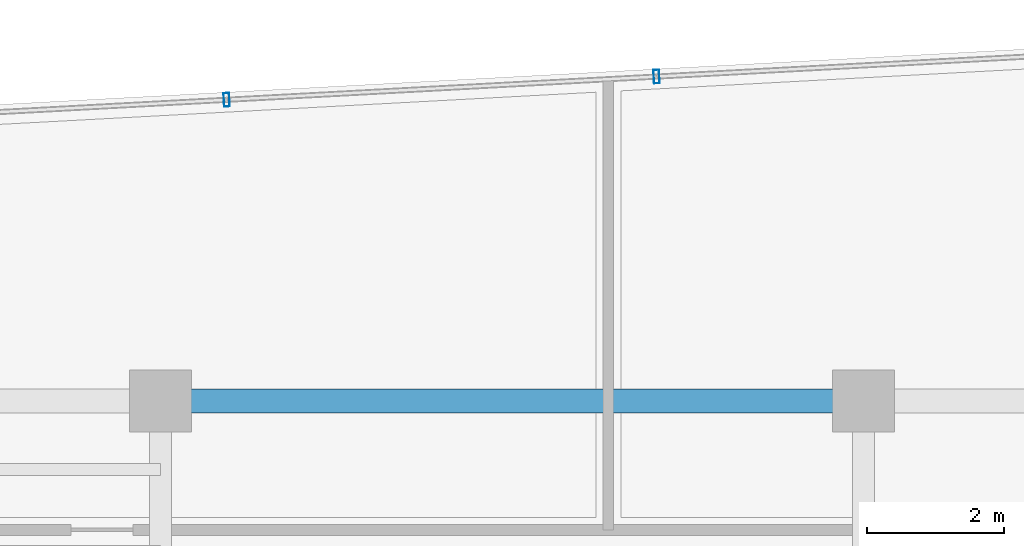
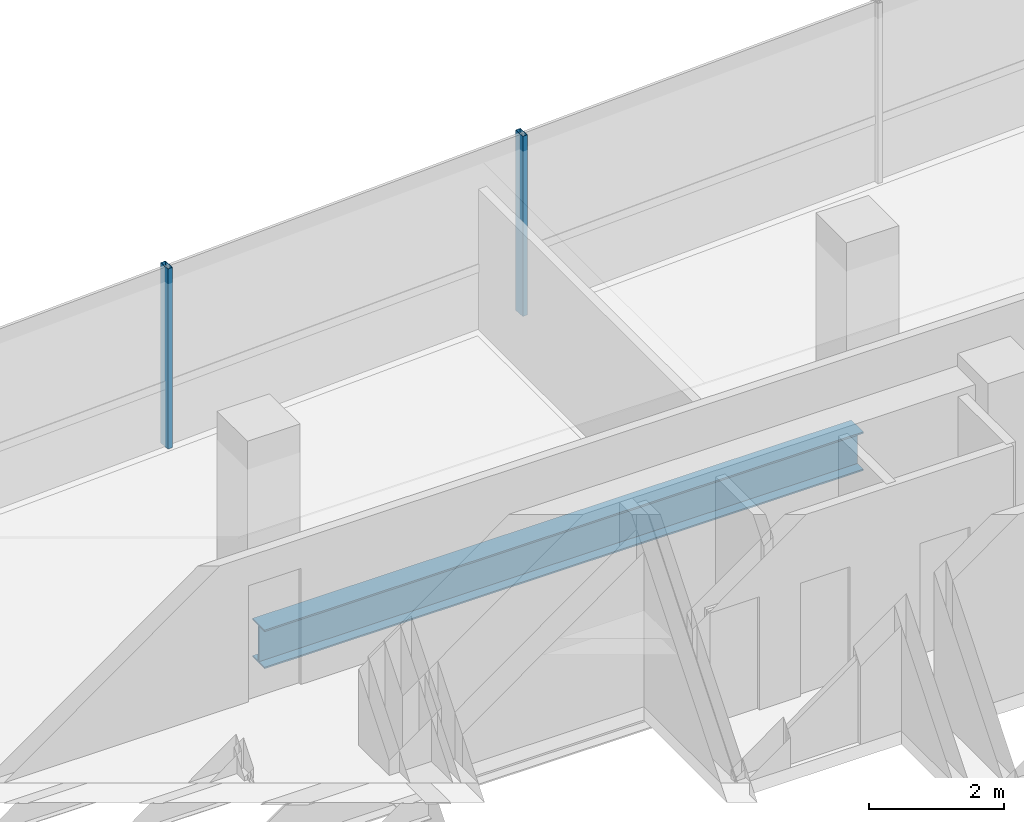
# One storey, part 14 of 22: 2 members, 1 beam, 1 element without a shape of its own.
"""IFC4 building model written with IfcOpenShell, lengths in metres."""

from ifc_helpers import new_model, si_unit, direction, frame, origin, origin_2d, place, context, subcontext, project, spatial, hollow_rectangle, i_section, extrude, source, transform, mapped, material, material_profile, profile_set, type_object, element, aggregate, save


model = new_model("IFC4")

# Units and contexts
model_context = context("Model", 3, precision=1e-05, world=origin(), true_north=direction((0.0, 1.0)))
body_context = subcontext(model_context, "Body", "Model", "MODEL_VIEW")
ifc_project = project(units=[si_unit("LENGTHUNIT", "METRE"), si_unit("AREAUNIT", "SQUARE_METRE"), si_unit("VOLUMEUNIT", "CUBIC_METRE"), si_unit("PLANEANGLEUNIT", "RADIAN"), si_unit("MASSUNIT", "GRAM", prefix="KILO")], contexts=[model_context])

# Site, building, storey
site_placement = place(None, origin())
site = spatial("IfcSite", under=ifc_project, at=site_placement, CompositionType="ELEMENT")
building_placement = place(site_placement, origin())
building = spatial("IfcBuilding", under=site, at=building_placement, Name="Valdorenza Pilgrim Sanctuary Tower", CompositionType="ELEMENT")
storey_placement = place(building_placement, frame((0.0, 0.0, 237.0)))
storey = spatial("IfcBuildingStorey", under=building, at=storey_placement, Name="L61", CompositionType="ELEMENT", Elevation=237.0)

# Beam
ifc_material_1 = material(Name="Steel ASTM A992 Grade 50", Category="steel")
ifc_material_profile_1 = material_profile(ifc_material_1, i_section(OverallWidth=0.35595703125, OverallDepth=0.700927734375, WebThickness=0.016845703125, FlangeThickness=0.02734375, at=origin_2d()), Name="W27X161")
ifc_profile_set_1 = profile_set([ifc_material_profile_1], Name="Steel ASTM A992 Grade 50")
beam_type = type_object("IfcBeamType", Name="STR-BM-GRD-W27", PredefinedType="BEAM", material=ifc_profile_set_1)
shared_shape_1 = source(origin(), body_context, "Body", "SweptSolid", [
    extrude(i_section(OverallWidth=0.35595703125, OverallDepth=0.700927734375, WebThickness=0.016845703125, FlangeThickness=0.02734375, at=origin_2d()), origin(), (0.0, 0.0, 1.0), 10.25),
])
beam_placement = place(storey_placement, frame((-22.64990234375, 14.800048828125, -0.590576171875), z_axis=(1.0, 0.0, 0.0), x_axis=(0.0, 1.0, 0.0)))
element("IfcBeam", 1, at=beam_placement, inside=storey, type_object=beam_type, Name="L61 Floor Girder CA-XC-N2", PredefinedType="BEAM", context=body_context, shape_type="MappedRepresentation", body=[
    mapped(shared_shape_1, transform((0.0, 0.0, 0.0), x_axis=(1.0, 0.0, 0.0), y_axis=(0.0, 1.0, 0.0), z_axis=(0.0, 0.0, 1.0), scale=1.0)),
])

# Curtain wall, members
ifc_material_2 = material(Name="Curtain-wall IGU glazing", Category="glass")
curtain_wall_type = type_object("IfcCurtainWallType", Name="CW-SYS-02", PredefinedType="NOTDEFINED", material=ifc_material_2)
curtain_wall_placement = place(storey_placement, origin())
curtain_wall = element("IfcCurtainWall", 2, at=curtain_wall_placement, inside=storey, type_object=curtain_wall_type, Name="L61 Curtain Wall CW-L61-1-6", PredefinedType="NOTDEFINED")
ifc_material_3 = material(Name="Anodised aluminium AW-6060", Category="aluminium")
ifc_material_profile_2 = material_profile(ifc_material_3, hollow_rectangle(XDim=0.0849609375, YDim=0.199951171875, WallThickness=0.0048828125, at=origin_2d()), Name="ALU-M 200x85x5")
ifc_profile_set_2 = profile_set([ifc_material_profile_2], Name="Anodised aluminium AW-6060")
member_type = type_object("IfcMemberType", Name="CW-MUL-02", PredefinedType="MULLION", material=ifc_profile_set_2)
shared_shape_2 = source(origin(), body_context, "Body", "SweptSolid", [
    extrude(hollow_rectangle(XDim=0.0849609375, YDim=0.199951171875, WallThickness=0.0048828125, at=origin_2d()), origin(), (0.0, 0.0, 1.0), 3.260009765625),
])
member_1_placement = place(storey_placement, frame((-21.686279296875, 19.1923828125, 0.0), z_axis=(0.0, 0.0, 1.0), x_axis=(0.998547034311, 0.053887106711, 0.0)))
member_1 = element("IfcMember", 3, at=member_1_placement, type_object=member_type, Name="CW-L61-1-6 Mullion 2", PredefinedType="MULLION", context=body_context, shape_type="MappedRepresentation", body=[
    mapped(shared_shape_2, transform((0.0, 0.0, 0.0), x_axis=(1.0, 0.0, 0.0), y_axis=(0.0, 1.0, 0.0), z_axis=(0.0, 0.0, 1.0), scale=1.0)),
])
member_2_placement = place(storey_placement, frame((-15.4169921875, 19.531005859375, 0.0), z_axis=(0.0, 0.0, 1.0), x_axis=(0.998547034311, 0.053887106711, 0.0)))
member_2 = element("IfcMember", 4, at=member_2_placement, type_object=member_type, Name="CW-L61-1-6 Mullion 3", PredefinedType="MULLION", context=body_context, shape_type="MappedRepresentation", body=[
    mapped(shared_shape_2, transform((0.0, 0.0, 0.0), x_axis=(1.0, 0.0, 0.0), y_axis=(0.0, 1.0, 0.0), z_axis=(0.0, 0.0, 1.0), scale=1.0)),
])
aggregate(curtain_wall, [member_1, member_2])

save(model, "model.ifc")
